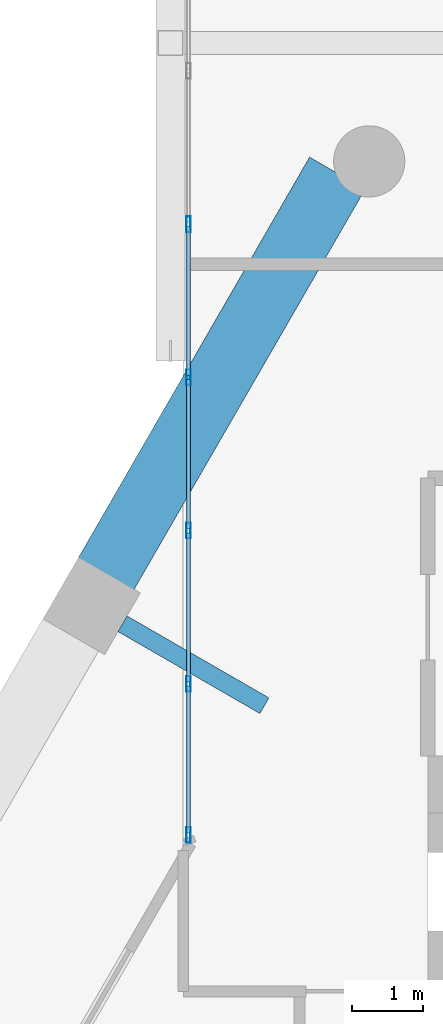
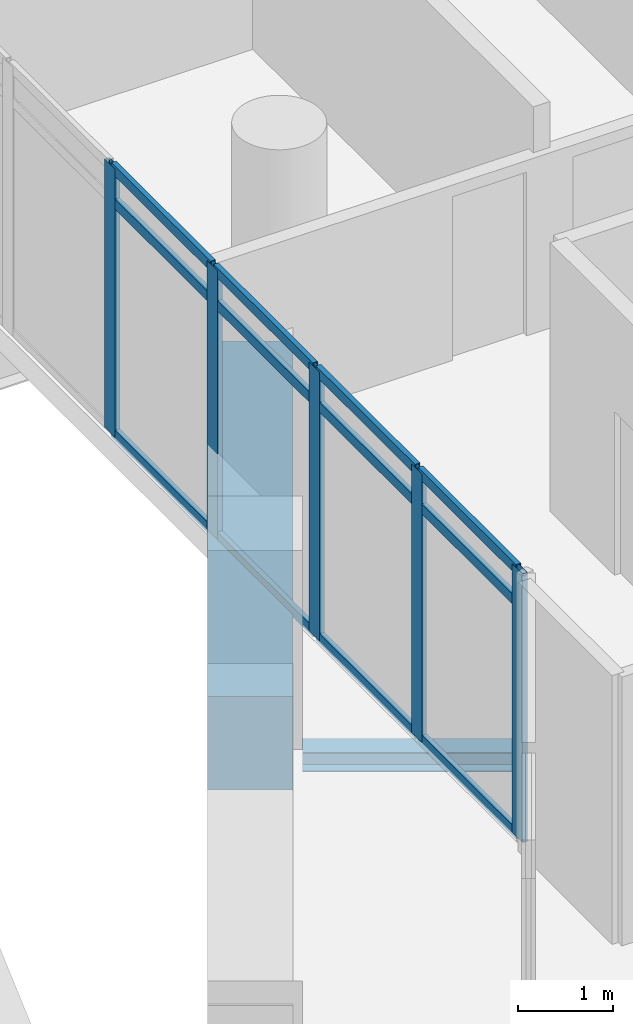
# One storey, part 16 of 38: 17 members, 2 beams, 1 element without a shape of its own.
"""IFC4 building model written with IfcOpenShell, lengths in metres."""

from ifc_helpers import new_model, si_unit, direction, frame, origin, origin_2d, place, context, subcontext, project, spatial, rectangle, hollow_rectangle, i_section, extrude, material, material_profile, profile_set, type_object, element, aggregate, save


model = new_model("IFC4")

# Units and contexts
model_context = context("Model", 3, precision=1e-05, world=origin(), true_north=direction((0.0, 1.0)))
body_context = subcontext(model_context, "Body", "Model", "MODEL_VIEW")
ifc_project = project(units=[si_unit("LENGTHUNIT", "METRE"), si_unit("AREAUNIT", "SQUARE_METRE"), si_unit("VOLUMEUNIT", "CUBIC_METRE"), si_unit("PLANEANGLEUNIT", "RADIAN"), si_unit("MASSUNIT", "GRAM", prefix="KILO")], contexts=[model_context])

# Site, building, storey
site_placement = place(None, origin())
site = spatial("IfcSite", under=ifc_project, at=site_placement, CompositionType="ELEMENT")
building_placement = place(site_placement, origin())
building = spatial("IfcBuilding", under=site, at=building_placement, Name="Ostrander Bayou Hotel Tower", CompositionType="ELEMENT")
storey_placement = place(building_placement, frame((0.0, 0.0, 194.5)))
storey = spatial("IfcBuildingStorey", under=building, at=storey_placement, Name="L48", CompositionType="ELEMENT", Elevation=194.5)

# Curtain wall, members
ifc_material_1 = material(Name="Aluminium and clear glass", Category="aluminium")
curtain_wall_type = type_object("IfcCurtainWallType", Name="CW-BAR glazed wall", PredefinedType="NOTDEFINED", material=ifc_material_1)
curtain_wall_placement = place(storey_placement, origin())
curtain_wall = element("IfcCurtainWall", 1, at=curtain_wall_placement, inside=storey, type_object=curtain_wall_type, Name="CW-BAR L48:SB4N:E", PredefinedType="NOTDEFINED")
ifc_material_2 = material(Name="Aluminium", Category="aluminium")
ifc_material_profile_1 = material_profile(ifc_material_2, hollow_rectangle(XDim=0.06005859375, YDim=0.219970703125, WallThickness=0.00390625, at=origin_2d()))
ifc_profile_set_1 = profile_set([ifc_material_profile_1], Name="Aluminium")
member_type_1 = type_object("IfcMemberType", Name="CW-BR mullion 60 x 220 mm", PredefinedType="MULLION", material=ifc_profile_set_1)
member_1_placement = place(storey_placement, frame((-11.857177734375, 8.594482421875, 0.0), z_axis=(0.0, 0.0, 1.0), x_axis=(-1.0, 0.0, 0.0)))
member_1 = element("IfcMember", 2, at=member_1_placement, type_object=member_type_1, Name="CW-BAR mullion 1", PredefinedType="MULLION", context=body_context, shape_type="SweptSolid", body=[
    extrude(hollow_rectangle(XDim=0.06005859375, YDim=0.219970703125, WallThickness=0.00390625, at=origin_2d()), origin(), (0.0, 0.0, 1.0), 3.449951171875),
])
member_2_placement = place(storey_placement, frame((-11.857177734375, 10.714599609375, 0.0), z_axis=(0.0, 0.0, 1.0), x_axis=(-1.0, 0.0, 0.0)))
member_2 = element("IfcMember", 3, at=member_2_placement, type_object=member_type_1, Name="CW-BAR mullion 2", PredefinedType="MULLION", context=body_context, shape_type="SweptSolid", body=[
    extrude(hollow_rectangle(XDim=0.06005859375, YDim=0.219970703125, WallThickness=0.00390625, at=origin_2d()), origin(), (0.0, 0.0, 1.0), 3.449951171875),
])
member_3_placement = place(storey_placement, frame((-11.857177734375, 12.86474609375, 0.0), z_axis=(0.0, 0.0, 1.0), x_axis=(-1.0, 0.0, 0.0)))
member_3 = element("IfcMember", 4, at=member_3_placement, type_object=member_type_1, Name="CW-BAR mullion 3", PredefinedType="MULLION", context=body_context, shape_type="SweptSolid", body=[
    extrude(hollow_rectangle(XDim=0.06005859375, YDim=0.219970703125, WallThickness=0.00390625, at=origin_2d()), origin(), (0.0, 0.0, 1.0), 3.449951171875),
])
member_4_placement = place(storey_placement, frame((-11.857177734375, 15.014892578125, 0.0), z_axis=(0.0, 0.0, 1.0), x_axis=(-1.0, 0.0, 0.0)))
member_4 = element("IfcMember", 5, at=member_4_placement, type_object=member_type_1, Name="CW-BAR mullion 4", PredefinedType="MULLION", context=body_context, shape_type="SweptSolid", body=[
    extrude(hollow_rectangle(XDim=0.06005859375, YDim=0.219970703125, WallThickness=0.00390625, at=origin_2d()), origin(), (0.0, 0.0, 1.0), 3.449951171875),
])
member_5_placement = place(storey_placement, frame((-11.857177734375, 17.1650390625, 0.0), z_axis=(0.0, 0.0, 1.0), x_axis=(-1.0, 0.0, 0.0)))
member_5 = element("IfcMember", 6, at=member_5_placement, type_object=member_type_1, Name="CW-BAR mullion 5", PredefinedType="MULLION", context=body_context, shape_type="SweptSolid", body=[
    extrude(hollow_rectangle(XDim=0.06005859375, YDim=0.219970703125, WallThickness=0.00390625, at=origin_2d()), origin(), (0.0, 0.0, 1.0), 3.449951171875),
])
ifc_material_3 = material(Name="Aluminium", Category="aluminium")
ifc_material_profile_2 = material_profile(ifc_material_3, hollow_rectangle(XDim=0.06005859375, YDim=0.1298828125, WallThickness=0.00390625, at=origin_2d()))
ifc_profile_set_2 = profile_set([ifc_material_profile_2], Name="Aluminium")
member_type_2 = type_object("IfcMemberType", Name="CW-BR transom 60 x 130 mm", PredefinedType="USERDEFINED", material=ifc_profile_set_2)
member_6_placement = place(storey_placement, frame((-11.857177734375, 8.62451171875, 0.030029296875), z_axis=(0.0, 1.0, 0.0), x_axis=(-1.0, 0.0, 0.0)))
member_6 = element("IfcMember", 7, at=member_6_placement, type_object=member_type_2, Name="CW-BAR transom 1.1", ObjectType="TRANSOM", PredefinedType="USERDEFINED", context=body_context, shape_type="SweptSolid", body=[
    extrude(hollow_rectangle(XDim=0.06005859375, YDim=0.1298828125, WallThickness=0.00390625, at=origin_2d()), origin(), (0.0, 0.0, 1.0), 2.06005859375),
])
member_7_placement = place(storey_placement, frame((-11.857177734375, 8.62451171875, 3.0), z_axis=(0.0, 1.0, 0.0), x_axis=(-1.0, 0.0, 0.0)))
member_7 = element("IfcMember", 8, at=member_7_placement, type_object=member_type_2, Name="CW-BAR transom 1.2", ObjectType="TRANSOM", PredefinedType="USERDEFINED", context=body_context, shape_type="SweptSolid", body=[
    extrude(hollow_rectangle(XDim=0.06005859375, YDim=0.1298828125, WallThickness=0.00390625, at=origin_2d()), origin(), (0.0, 0.0, 1.0), 2.06005859375),
])
member_8_placement = place(storey_placement, frame((-11.857177734375, 8.62451171875, 3.419921875), z_axis=(0.0, 1.0, 0.0), x_axis=(-1.0, 0.0, 0.0)))
member_8 = element("IfcMember", 9, at=member_8_placement, type_object=member_type_2, Name="CW-BAR transom 1.3", ObjectType="TRANSOM", PredefinedType="USERDEFINED", context=body_context, shape_type="SweptSolid", body=[
    extrude(hollow_rectangle(XDim=0.06005859375, YDim=0.1298828125, WallThickness=0.00390625, at=origin_2d()), origin(), (0.0, 0.0, 1.0), 2.06005859375),
])
member_9_placement = place(storey_placement, frame((-11.857177734375, 10.74462890625, 0.030029296875), z_axis=(0.0, 1.0, 0.0), x_axis=(-1.0, 0.0, 0.0)))
member_9 = element("IfcMember", 10, at=member_9_placement, type_object=member_type_2, Name="CW-BAR transom 2.1", ObjectType="TRANSOM", PredefinedType="USERDEFINED", context=body_context, shape_type="SweptSolid", body=[
    extrude(hollow_rectangle(XDim=0.06005859375, YDim=0.1298828125, WallThickness=0.00390625, at=origin_2d()), origin(), (0.0, 0.0, 1.0), 2.090087890625),
])
member_10_placement = place(storey_placement, frame((-11.857177734375, 10.74462890625, 3.0), z_axis=(0.0, 1.0, 0.0), x_axis=(-1.0, 0.0, 0.0)))
member_10 = element("IfcMember", 11, at=member_10_placement, type_object=member_type_2, Name="CW-BAR transom 2.2", ObjectType="TRANSOM", PredefinedType="USERDEFINED", context=body_context, shape_type="SweptSolid", body=[
    extrude(hollow_rectangle(XDim=0.06005859375, YDim=0.1298828125, WallThickness=0.00390625, at=origin_2d()), origin(), (0.0, 0.0, 1.0), 2.090087890625),
])
member_11_placement = place(storey_placement, frame((-11.857177734375, 10.74462890625, 3.419921875), z_axis=(0.0, 1.0, 0.0), x_axis=(-1.0, 0.0, 0.0)))
member_11 = element("IfcMember", 12, at=member_11_placement, type_object=member_type_2, Name="CW-BAR transom 2.3", ObjectType="TRANSOM", PredefinedType="USERDEFINED", context=body_context, shape_type="SweptSolid", body=[
    extrude(hollow_rectangle(XDim=0.06005859375, YDim=0.1298828125, WallThickness=0.00390625, at=origin_2d()), origin(), (0.0, 0.0, 1.0), 2.090087890625),
])
member_12_placement = place(storey_placement, frame((-11.857177734375, 12.894775390625, 0.030029296875), z_axis=(0.0, 1.0, 0.0), x_axis=(-1.0, 0.0, 0.0)))
member_12 = element("IfcMember", 13, at=member_12_placement, type_object=member_type_2, Name="CW-BAR transom 3.1", ObjectType="TRANSOM", PredefinedType="USERDEFINED", context=body_context, shape_type="SweptSolid", body=[
    extrude(hollow_rectangle(XDim=0.06005859375, YDim=0.1298828125, WallThickness=0.00390625, at=origin_2d()), origin(), (0.0, 0.0, 1.0), 2.090087890625),
])
member_13_placement = place(storey_placement, frame((-11.857177734375, 12.894775390625, 3.0), z_axis=(0.0, 1.0, 0.0), x_axis=(-1.0, 0.0, 0.0)))
member_13 = element("IfcMember", 14, at=member_13_placement, type_object=member_type_2, Name="CW-BAR transom 3.2", ObjectType="TRANSOM", PredefinedType="USERDEFINED", context=body_context, shape_type="SweptSolid", body=[
    extrude(hollow_rectangle(XDim=0.06005859375, YDim=0.1298828125, WallThickness=0.00390625, at=origin_2d()), origin(), (0.0, 0.0, 1.0), 2.090087890625),
])
member_14_placement = place(storey_placement, frame((-11.857177734375, 12.894775390625, 3.419921875), z_axis=(0.0, 1.0, 0.0), x_axis=(-1.0, 0.0, 0.0)))
member_14 = element("IfcMember", 15, at=member_14_placement, type_object=member_type_2, Name="CW-BAR transom 3.3", ObjectType="TRANSOM", PredefinedType="USERDEFINED", context=body_context, shape_type="SweptSolid", body=[
    extrude(hollow_rectangle(XDim=0.06005859375, YDim=0.1298828125, WallThickness=0.00390625, at=origin_2d()), origin(), (0.0, 0.0, 1.0), 2.090087890625),
])
member_15_placement = place(storey_placement, frame((-11.857177734375, 15.044921875, 0.030029296875), z_axis=(0.0, 1.0, 0.0), x_axis=(-1.0, 0.0, 0.0)))
member_15 = element("IfcMember", 16, at=member_15_placement, type_object=member_type_2, Name="CW-BAR transom 4.1", ObjectType="TRANSOM", PredefinedType="USERDEFINED", context=body_context, shape_type="SweptSolid", body=[
    extrude(hollow_rectangle(XDim=0.06005859375, YDim=0.1298828125, WallThickness=0.00390625, at=origin_2d()), origin(), (0.0, 0.0, 1.0), 2.09033203125),
])
member_16_placement = place(storey_placement, frame((-11.857177734375, 15.044921875, 3.0), z_axis=(0.0, 1.0, 0.0), x_axis=(-1.0, 0.0, 0.0)))
member_16 = element("IfcMember", 17, at=member_16_placement, type_object=member_type_2, Name="CW-BAR transom 4.2", ObjectType="TRANSOM", PredefinedType="USERDEFINED", context=body_context, shape_type="SweptSolid", body=[
    extrude(hollow_rectangle(XDim=0.06005859375, YDim=0.1298828125, WallThickness=0.00390625, at=origin_2d()), origin(), (0.0, 0.0, 1.0), 2.09033203125),
])
member_17_placement = place(storey_placement, frame((-11.857177734375, 15.044921875, 3.419921875), z_axis=(0.0, 1.0, 0.0), x_axis=(-1.0, 0.0, 0.0)))
member_17 = element("IfcMember", 18, at=member_17_placement, type_object=member_type_2, Name="CW-BAR transom 4.3", ObjectType="TRANSOM", PredefinedType="USERDEFINED", context=body_context, shape_type="SweptSolid", body=[
    extrude(hollow_rectangle(XDim=0.06005859375, YDim=0.1298828125, WallThickness=0.00390625, at=origin_2d()), origin(), (0.0, 0.0, 1.0), 2.09033203125),
])
aggregate(curtain_wall, [member_1, member_2, member_3, member_4, member_5, member_6, member_7, member_8, member_9, member_10, member_11, member_12, member_13, member_14, member_15, member_16, member_17])

# Beams
ifc_material_4 = material(Name="Steel ASTM A992", Category="steel")
ifc_material_profile_3 = material_profile(ifc_material_4, i_section(OverallWidth=0.25390625, OverallDepth=0.25341796875, WebThickness=0.008544921875, FlangeThickness=0.01416015625, at=origin_2d()))
ifc_profile_set_3 = profile_set([ifc_material_profile_3], Name="Steel ASTM A992")
beam_type_1 = type_object("IfcBeamType", Name="LB2 loggia bracket W10x49", PredefinedType="BEAM", material=ifc_profile_set_3)
beam_1_placement = place(storey_placement, frame((-12.7841796875, 11.55859375, -0.4267578125), z_axis=(0.86602648383, -0.499998129301, 0.0), x_axis=(0.499998129301, 0.86602648383, 0.0)))
element("IfcBeam", 19, at=beam_1_placement, inside=storey, type_object=beam_type_1, Name="LB2 L48 NW1", PredefinedType="BEAM", context=body_context, shape_type="SweptSolid", body=[
    extrude(i_section(OverallWidth=0.25390625, OverallDepth=0.25341796875, WebThickness=0.008544921875, FlangeThickness=0.01416015625, at=origin_2d()), origin(), (0.0, 0.0, 1.0), 2.2998046875),
])
ifc_material_5 = material(Name="Concrete f'c 60 MPa", Category="concrete")
ifc_material_profile_4 = material_profile(ifc_material_5, rectangle(XDim=0.89990234375, YDim=1.199951171875, at=origin_2d()))
ifc_profile_set_4 = profile_set([ifc_material_profile_4], Name="Concrete f'c 60 MPa")
beam_type_2 = type_object("IfcBeamType", Name="SP3 spandrel beam 900 x 1200 mm f'c 60 MPa", PredefinedType="SPANDREL", material=ifc_profile_set_4)
beam_2_placement = place(storey_placement, frame((-9.76953125, 17.88037109375, -0.60009765625), z_axis=(-0.499977752261, -0.866038248142, 0.0), x_axis=(0.866038248142, -0.499977752261, 0.0)))
element("IfcBeam", 20, at=beam_2_placement, inside=storey, type_object=beam_type_2, Name="SP3 L48 NW-1", PredefinedType="SPANDREL", context=body_context, shape_type="SweptSolid", body=[
    extrude(rectangle(XDim=0.89990234375, YDim=1.199951171875, at=origin_2d()), origin(), (0.0, 0.0, 1.0), 6.511962890625),
])

save(model, "model.ifc")
